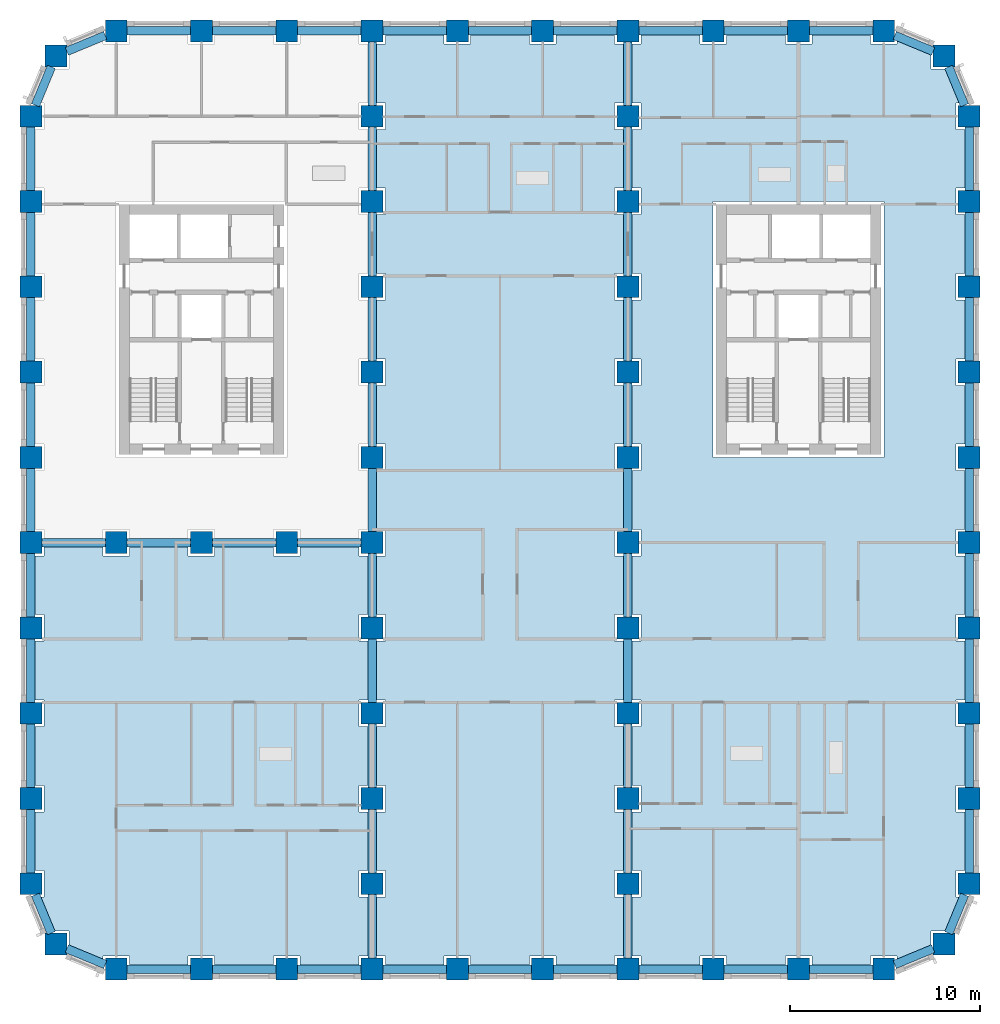
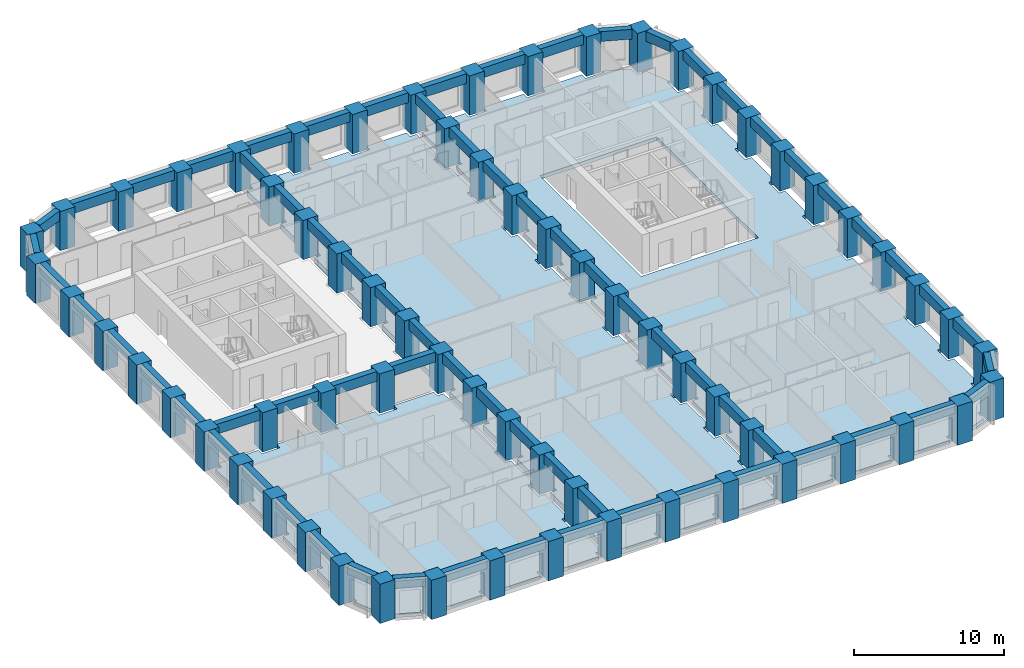
# One storey, part 1 of 13: 70 beams, 67 columns, 3 slabs.
"""IFC4 building model written with IfcOpenShell, lengths in metres."""

from ifc_helpers import new_model, si_unit, direction, frame, origin, origin_2d, place, context, subcontext, project, spatial, polyline, rectangle, outline, extrude, material, layer, layer_set, material_profile, profile_set, type_object, element, save


model = new_model("IFC4")

# Units and contexts
model_context = context("Model", 3, precision=1e-05, world=origin(), true_north=direction((0.0, 1.0)))
body_context = subcontext(model_context, "Body", "Model", "MODEL_VIEW")
ifc_project = project(units=[si_unit("LENGTHUNIT", "METRE"), si_unit("AREAUNIT", "SQUARE_METRE"), si_unit("VOLUMEUNIT", "CUBIC_METRE"), si_unit("PLANEANGLEUNIT", "RADIAN"), si_unit("MASSUNIT", "GRAM", prefix="KILO")], contexts=[model_context])

# Site, building, storey
site_placement = place(None, origin())
site = spatial("IfcSite", under=ifc_project, at=site_placement, CompositionType="ELEMENT")
building_placement = place(site_placement, origin())
building = spatial("IfcBuilding", under=site, at=building_placement, Name="Girih Gate Residences", CompositionType="ELEMENT")
storey_placement = place(building_placement, frame((0.0, 0.0, 80.0)))
storey = spatial("IfcBuildingStorey", under=building, at=storey_placement, Name="L21", CompositionType="ELEMENT", Elevation=80.0)

# Columns
ifc_material_1 = material(Name="Concrete C80/95", Category="concrete")
ifc_material_profile_1 = material_profile(ifc_material_1, rectangle(XDim=1.14990234375, YDim=1.14990234375, at=origin_2d()))
ifc_profile_set_1 = profile_set([ifc_material_profile_1], Name="Concrete C80/95")
column_type = type_object("IfcColumnType", Name="Pier RC 1150x1150 Concrete C80/95", PredefinedType="COLUMN", material=ifc_profile_set_1)
for number, where, z_axis, x_axis, name in (
    (1, (4.5, 0.0, 0.0), (0.0, 0.0, 1.0), (1.0, 0.0, 0.0), "Pier P2A L21"),
    (2, (9.0, 0.0, 0.0), (0.0, 0.0, 1.0), (1.0, 0.0, 0.0), "Pier P3A L21"),
    (3, (13.5, 0.0, 0.0), (0.0, 0.0, 1.0), (1.0, 0.0, 0.0), "Pier P4A L21"),
    (4, (18.0, 0.0, 0.0), (0.0, 0.0, 1.0), (1.0, 0.0, 0.0), "Pier P5A L21"),
    (5, (22.5, 0.0, 0.0), (0.0, 0.0, 1.0), (1.0, 0.0, 0.0), "Pier P6A L21"),
    (6, (27.0, 0.0, 0.0), (0.0, 0.0, 1.0), (1.0, 0.0, 0.0), "Pier P7A L21"),
    (7, (31.5, 0.0, 0.0), (0.0, 0.0, 1.0), (1.0, 0.0, 0.0), "Pier P8A L21"),
    (8, (36.0, 0.0, 0.0), (0.0, 0.0, 1.0), (1.0, 0.0, 0.0), "Pier P9A L21"),
    (9, (40.5, 0.0, 0.0), (0.0, 0.0, 1.0), (1.0, 0.0, 0.0), "Pier P10A L21"),
    (10, (45.0, 0.0, 0.0), (0.0, 0.0, 1.0), (1.0, 0.0, 0.0), "Pier P11A L21"),
    (11, (1.318115234375, 1.318115234375, 0.0), (0.0, 0.0, 1.0), (1.0, 0.0, 0.0), "Pier P1ANE L21"),
    (12, (48.181884765625, 1.318115234375, 0.0), (0.0, 0.0, 1.0), (1.0, 0.0, 0.0), "Pier P12ANW L21"),
    (13, (0.0, 4.5, 0.0), (0.0, 0.0, 1.0), (1.0, 0.0, 0.0), "Pier P1B L21"),
    (14, (18.0, 4.5, 0.0), (0.0, 0.0, 1.0), (1.0, 0.0, 0.0), "Pier P5B L21"),
    (15, (31.5, 4.5, 0.0), (0.0, 0.0, 1.0), (1.0, 0.0, 0.0), "Pier P8B L21"),
    (16, (49.5, 4.5, 0.0), (0.0, 0.0, 1.0), (1.0, 0.0, 0.0), "Pier P12B L21"),
    (17, (0.0, 9.0, 0.0), (0.0, 0.0, 1.0), (1.0, 0.0, 0.0), "Pier P1C L21"),
    (18, (18.0, 9.0, 0.0), (0.0, 0.0, 1.0), (1.0, 0.0, 0.0), "Pier P5C L21"),
    (19, (31.5, 9.0, 0.0), (0.0, 0.0, 1.0), (1.0, 0.0, 0.0), "Pier P8C L21"),
    (20, (49.5, 9.0, 0.0), (0.0, 0.0, 1.0), (1.0, 0.0, 0.0), "Pier P12C L21"),
    (21, (0.0, 13.5, 0.0), (0.0, 0.0, 1.0), (1.0, 0.0, 0.0), "Pier P1D L21"),
    (22, (18.0, 13.5, 0.0), (0.0, 0.0, 1.0), (1.0, 0.0, 0.0), "Pier P5D L21"),
    (23, (31.5, 13.5, 0.0), (0.0, 0.0, 1.0), (1.0, 0.0, 0.0), "Pier P8D L21"),
    (24, (49.5, 13.5, 0.0), (0.0, 0.0, 1.0), (1.0, 0.0, 0.0), "Pier P12D L21"),
    (25, (0.0, 18.0, 0.0), (0.0, 0.0, 1.0), (1.0, 0.0, 0.0), "Pier P1E L21"),
    (26, (18.0, 18.0, 0.0), (0.0, 0.0, 1.0), (1.0, 0.0, 0.0), "Pier P5E L21"),
    (27, (31.5, 18.0, 0.0), (0.0, 0.0, 1.0), (1.0, 0.0, 0.0), "Pier P8E L21"),
    (28, (49.5, 18.0, 0.0), (0.0, 0.0, 1.0), (1.0, 0.0, 0.0), "Pier P12E L21"),
    (29, (0.0, 22.5, 0.0), (0.0, 0.0, 1.0), (1.0, 0.0, 0.0), "Pier P1F L21"),
    (30, (4.5, 22.5, 0.0), (0.0, 0.0, 1.0), (1.0, 0.0, 0.0), "Pier P2F L21"),
    (31, (9.0, 22.5, 0.0), (0.0, 0.0, 1.0), (1.0, 0.0, 0.0), "Pier P3F L21"),
    (32, (13.5, 22.5, 0.0), (0.0, 0.0, 1.0), (1.0, 0.0, 0.0), "Pier P4F L21"),
    (33, (18.0, 22.5, 0.0), (0.0, 0.0, 1.0), (1.0, 0.0, 0.0), "Pier P5F L21"),
    (34, (31.5, 22.5, 0.0), (0.0, 0.0, 1.0), (1.0, 0.0, 0.0), "Pier P8F L21"),
    (35, (49.5, 22.5, 0.0), (0.0, 0.0, 1.0), (1.0, 0.0, 0.0), "Pier P12F L21"),
    (36, (0.0, 27.0, 0.0), (0.0, 0.0, 1.0), (1.0, 0.0, 0.0), "Pier P1G L21"),
    (37, (18.0, 27.0, 0.0), (0.0, 0.0, 1.0), (1.0, 0.0, 0.0), "Pier P5G L21"),
    (38, (31.5, 27.0, 0.0), (0.0, 0.0, 1.0), (1.0, 0.0, 0.0), "Pier P8G L21"),
    (39, (49.5, 27.0, 0.0), (0.0, 0.0, 1.0), (1.0, 0.0, 0.0), "Pier P12G L21"),
    (40, (0.0, 31.5, 0.0), (0.0, 0.0, 1.0), (1.0, 0.0, 0.0), "Pier P1H L21"),
    (41, (18.0, 31.5, 0.0), (0.0, 0.0, 1.0), (1.0, 0.0, 0.0), "Pier P5H L21"),
    (42, (31.5, 31.5, 0.0), (0.0, 0.0, 1.0), (1.0, 0.0, 0.0), "Pier P8H L21"),
    (43, (49.5, 31.5, 0.0), (0.0, 0.0, 1.0), (1.0, 0.0, 0.0), "Pier P12H L21"),
    (44, (0.0, 36.0, 0.0), (0.0, 0.0, 1.0), (1.0, 0.0, 0.0), "Pier P1I L21"),
    (45, (18.0, 36.0, 0.0), (0.0, 0.0, 1.0), (1.0, 0.0, 0.0), "Pier P5I L21"),
    (46, (31.5, 36.0, 0.0), (0.0, 0.0, 1.0), (1.0, 0.0, 0.0), "Pier P8I L21"),
    (47, (49.5, 36.0, 0.0), (0.0, 0.0, 1.0), (1.0, 0.0, 0.0), "Pier P12I L21"),
    (48, (0.0, 40.5, 0.0), (0.0, 0.0, 1.0), (1.0, 0.0, 0.0), "Pier P1J L21"),
    (49, (18.0, 40.5, 0.0), (0.0, 0.0, 1.0), (1.0, 0.0, 0.0), "Pier P5J L21"),
    (50, (31.5, 40.5, 0.0), (0.0, 0.0, 1.0), (1.0, 0.0, 0.0), "Pier P8J L21"),
    (51, (49.5, 40.5, 0.0), (0.0, 0.0, 1.0), (1.0, 0.0, 0.0), "Pier P12J L21"),
    (52, (0.0, 45.0, 0.0), (0.0, 0.0, 1.0), (1.0, 0.0, 0.0), "Pier P1K L21"),
    (53, (18.0, 45.0, 0.0), (0.0, 0.0, 1.0), (1.0, 0.0, 0.0), "Pier P5K L21"),
    (54, (31.5, 45.0, 0.0), (0.0, 0.0, 1.0), (1.0, 0.0, 0.0), "Pier P8K L21"),
    (55, (49.5, 45.0, 0.0), (0.0, 0.0, 1.0), (1.0, 0.0, 0.0), "Pier P12K L21"),
    (56, (1.318115234375, 48.181884765625, 0.0), (0.0, 0.0, 1.0), (1.0, 0.0, 0.0), "Pier P1LSE L21"),
    (57, (48.181884765625, 48.181884765625, 0.0), (0.0, 0.0, 1.0), (1.0, 0.0, 0.0), "Pier P12LSW L21"),
    (58, (4.5, 49.5, 0.0), (0.0, 0.0, 1.0), (1.0, 0.0, 0.0), "Pier P2L L21"),
    (59, (9.0, 49.5, 0.0), (0.0, 0.0, 1.0), (1.0, 0.0, 0.0), "Pier P3L L21"),
    (60, (13.5, 49.5, 0.0), (0.0, 0.0, 1.0), (1.0, 0.0, 0.0), "Pier P4L L21"),
    (61, (18.0, 49.5, 0.0), (0.0, 0.0, 1.0), (1.0, 0.0, 0.0), "Pier P5L L21"),
    (62, (22.5, 49.5, 0.0), (0.0, 0.0, 1.0), (1.0, 0.0, 0.0), "Pier P6L L21"),
    (63, (27.0, 49.5, 0.0), (0.0, 0.0, 1.0), (1.0, 0.0, 0.0), "Pier P7L L21"),
    (64, (31.5, 49.5, 0.0), (0.0, 0.0, 1.0), (1.0, 0.0, 0.0), "Pier P8L L21"),
    (65, (36.0, 49.5, 0.0), (0.0, 0.0, 1.0), (1.0, 0.0, 0.0), "Pier P9L L21"),
    (66, (40.5, 49.5, 0.0), (0.0, 0.0, 1.0), (1.0, 0.0, 0.0), "Pier P10L L21"),
    (67, (45.0, 49.5, 0.0), (0.0, 0.0, 1.0), (1.0, 0.0, 0.0), "Pier P11L L21"),
):
    element("IfcColumn", number, at=place(storey_placement, frame(where, z_axis=z_axis, x_axis=x_axis)), inside=storey, type_object=column_type, Name=name, PredefinedType="COLUMN", context=body_context, shape_type="SweptSolid", body=[
        extrude(rectangle(XDim=1.14990234375, YDim=1.14990234375, at=origin_2d()), origin(), (0.0, 0.0, 1.0), 3.199951171875),
    ])

# Beams
ifc_material_2 = material(Name="Concrete C60/75", Category="concrete")
ifc_material_profile_2 = material_profile(ifc_material_2, rectangle(XDim=0.449951171875, YDim=0.800048828125, at=origin_2d()))
ifc_profile_set_2 = profile_set([ifc_material_profile_2], Name="Concrete C60/75")
beam_type = type_object("IfcBeamType", Name="Spandrel girder RC 450x800 Concrete C60/75", PredefinedType="BEAM", material=ifc_profile_set_2)
for number, where, z_axis, x_axis, name in (
    (68, (0.23828125, 3.925048828125, 2.800048828125), (0.382636106589, -0.92389913407, 0.0), (0.92389913407, 0.382636106589, 0.0), "Spandrel girder SP-P1B-P1ANE L21"),
    (69, (1.89306640625, 1.079833984375, 2.800048828125), (0.92389913407, -0.382636106589, 0.0), (0.382636106589, 0.92389913407, 0.0), "Spandrel girder SP-P1ANE-P2A L21"),
):
    element("IfcBeam", number, at=place(storey_placement, frame(where, z_axis=z_axis, x_axis=x_axis)), inside=storey, type_object=beam_type, Name=name, PredefinedType="BEAM", context=body_context, shape_type="SweptSolid", body=[
        extrude(rectangle(XDim=0.449951171875, YDim=0.800048828125, at=origin_2d()), origin(), (0.0, 0.0, 1.0), 2.199462890625),
    ])
for number, where, z_axis, x_axis, name in (
    (70, (5.074951171875, 0.0, 2.800048828125), (1.0, 0.0, 0.0), (0.0, 1.0, 0.0), "Spandrel girder SP-P2A-P3A L21"),
    (71, (9.574951171875, 0.0, 2.800048828125), (1.0, 0.0, 0.0), (0.0, 1.0, 0.0), "Spandrel girder SP-P3A-P4A L21"),
    (72, (14.074951171875, 0.0, 2.800048828125), (1.0, 0.0, 0.0), (0.0, 1.0, 0.0), "Spandrel girder SP-P4A-P5A L21"),
    (73, (18.574951171875, 0.0, 2.800048828125), (1.0, 0.0, 0.0), (0.0, 1.0, 0.0), "Spandrel girder SP-P5A-P6A L21"),
    (74, (23.074951171875, 0.0, 2.800048828125), (1.0, 0.0, 0.0), (0.0, 1.0, 0.0), "Spandrel girder SP-P6A-P7A L21"),
    (75, (27.574951171875, 0.0, 2.800048828125), (1.0, 0.0, 0.0), (0.0, 1.0, 0.0), "Spandrel girder SP-P7A-P8A L21"),
    (76, (32.074951171875, 0.0, 2.800048828125), (1.0, 0.0, 0.0), (0.0, 1.0, 0.0), "Spandrel girder SP-P8A-P9A L21"),
    (77, (36.574951171875, 0.0, 2.800048828125), (1.0, 0.0, 0.0), (0.0, 1.0, 0.0), "Spandrel girder SP-P9A-P10A L21"),
    (78, (41.074951171875, 0.0, 2.800048828125), (1.0, 0.0, 0.0), (0.0, 1.0, 0.0), "Spandrel girder SP-P10A-P11A L21"),
):
    element("IfcBeam", number, at=place(storey_placement, frame(where, z_axis=z_axis, x_axis=x_axis)), inside=storey, type_object=beam_type, Name=name, PredefinedType="BEAM", context=body_context, shape_type="SweptSolid", body=[
        extrude(rectangle(XDim=0.449951171875, YDim=0.800048828125, at=origin_2d()), origin(), (0.0, 0.0, 1.0), 3.35009765625),
    ])
for number, where, z_axis, x_axis, name in (
    (79, (45.574951171875, 0.23828125, 2.800048828125), (0.92389913407, 0.382636106589, 0.0), (-0.382636106589, 0.92389913407, 0.0), "Spandrel girder SP-P11A-P12ANW L21"),
    (80, (48.420166015625, 1.89306640625, 2.800048828125), (0.382636106589, 0.92389913407, 0.0), (-0.92389913407, 0.382636106589, 0.0), "Spandrel girder SP-P12ANW-P12B L21"),
):
    element("IfcBeam", number, at=place(storey_placement, frame(where, z_axis=z_axis, x_axis=x_axis)), inside=storey, type_object=beam_type, Name=name, PredefinedType="BEAM", context=body_context, shape_type="SweptSolid", body=[
        extrude(rectangle(XDim=0.449951171875, YDim=0.800048828125, at=origin_2d()), origin(), (0.0, 0.0, 1.0), 2.199462890625),
    ])
for number, where, z_axis, x_axis, name in (
    (81, (49.5, 5.074951171875, 2.800048828125), (0.0, 1.0, 0.0), (-1.0, 0.0, 0.0), "Spandrel girder SP-P12B-P12C L21"),
    (82, (49.5, 9.574951171875, 2.800048828125), (0.0, 1.0, 0.0), (-1.0, 0.0, 0.0), "Spandrel girder SP-P12C-P12D L21"),
    (83, (49.5, 14.074951171875, 2.800048828125), (0.0, 1.0, 0.0), (-1.0, 0.0, 0.0), "Spandrel girder SP-P12D-P12E L21"),
    (84, (49.5, 18.574951171875, 2.800048828125), (0.0, 1.0, 0.0), (-1.0, 0.0, 0.0), "Spandrel girder SP-P12E-P12F L21"),
    (85, (49.5, 23.074951171875, 2.800048828125), (0.0, 1.0, 0.0), (-1.0, 0.0, 0.0), "Spandrel girder SP-P12F-P12G L21"),
    (86, (49.5, 27.574951171875, 2.800048828125), (0.0, 1.0, 0.0), (-1.0, 0.0, 0.0), "Spandrel girder SP-P12G-P12H L21"),
    (87, (49.5, 32.074951171875, 2.800048828125), (0.0, 1.0, 0.0), (-1.0, 0.0, 0.0), "Spandrel girder SP-P12H-P12I L21"),
    (88, (49.5, 36.574951171875, 2.800048828125), (0.0, 1.0, 0.0), (-1.0, 0.0, 0.0), "Spandrel girder SP-P12I-P12J L21"),
    (89, (49.5, 41.074951171875, 2.800048828125), (0.0, 1.0, 0.0), (-1.0, 0.0, 0.0), "Spandrel girder SP-P12J-P12K L21"),
):
    element("IfcBeam", number, at=place(storey_placement, frame(where, z_axis=z_axis, x_axis=x_axis)), inside=storey, type_object=beam_type, Name=name, PredefinedType="BEAM", context=body_context, shape_type="SweptSolid", body=[
        extrude(rectangle(XDim=0.449951171875, YDim=0.800048828125, at=origin_2d()), origin(), (0.0, 0.0, 1.0), 3.35009765625),
    ])
for number, where, z_axis, x_axis, name in (
    (90, (49.26171875, 45.574951171875, 2.800048828125), (-0.382636106589, 0.92389913407, 0.0), (-0.92389913407, -0.382636106589, 0.0), "Spandrel girder SP-P12K-P12LSW L21"),
    (91, (47.60693359375, 48.420166015625, 2.800048828125), (-0.92389913407, 0.382636106589, 0.0), (-0.382636106589, -0.92389913407, 0.0), "Spandrel girder SP-P12LSW-P11L L21"),
):
    element("IfcBeam", number, at=place(storey_placement, frame(where, z_axis=z_axis, x_axis=x_axis)), inside=storey, type_object=beam_type, Name=name, PredefinedType="BEAM", context=body_context, shape_type="SweptSolid", body=[
        extrude(rectangle(XDim=0.449951171875, YDim=0.800048828125, at=origin_2d()), origin(), (0.0, 0.0, 1.0), 2.199462890625),
    ])
for number, where, z_axis, x_axis, name in (
    (92, (44.425048828125, 49.5, 2.800048828125), (-1.0, 0.0, 0.0), (0.0, -1.0, 0.0), "Spandrel girder SP-P11L-P10L L21"),
    (93, (39.925048828125, 49.5, 2.800048828125), (-1.0, 0.0, 0.0), (0.0, -1.0, 0.0), "Spandrel girder SP-P10L-P9L L21"),
    (94, (35.425048828125, 49.5, 2.800048828125), (-1.0, 0.0, 0.0), (0.0, -1.0, 0.0), "Spandrel girder SP-P9L-P8L L21"),
    (95, (30.925048828125, 49.5, 2.800048828125), (-1.0, 0.0, 0.0), (0.0, -1.0, 0.0), "Spandrel girder SP-P8L-P7L L21"),
    (96, (26.425048828125, 49.5, 2.800048828125), (-1.0, 0.0, 0.0), (0.0, -1.0, 0.0), "Spandrel girder SP-P7L-P6L L21"),
    (97, (21.925048828125, 49.5, 2.800048828125), (-1.0, 0.0, 0.0), (0.0, -1.0, 0.0), "Spandrel girder SP-P6L-P5L L21"),
    (98, (17.425048828125, 49.5, 2.800048828125), (-1.0, 0.0, 0.0), (0.0, -1.0, 0.0), "Spandrel girder SP-P5L-P4L L21"),
    (99, (12.925048828125, 49.5, 2.800048828125), (-1.0, 0.0, 0.0), (0.0, -1.0, 0.0), "Spandrel girder SP-P4L-P3L L21"),
    (100, (8.425048828125, 49.5, 2.800048828125), (-1.0, 0.0, 0.0), (0.0, -1.0, 0.0), "Spandrel girder SP-P3L-P2L L21"),
):
    element("IfcBeam", number, at=place(storey_placement, frame(where, z_axis=z_axis, x_axis=x_axis)), inside=storey, type_object=beam_type, Name=name, PredefinedType="BEAM", context=body_context, shape_type="SweptSolid", body=[
        extrude(rectangle(XDim=0.449951171875, YDim=0.800048828125, at=origin_2d()), origin(), (0.0, 0.0, 1.0), 3.35009765625),
    ])
for number, where, z_axis, x_axis, name in (
    (101, (3.925048828125, 49.26171875, 2.800048828125), (-0.92389913407, -0.382636106589, 0.0), (0.382636106589, -0.92389913407, 0.0), "Spandrel girder SP-P2L-P1LSE L21"),
    (102, (1.079833984375, 47.60693359375, 2.800048828125), (-0.382636106589, -0.92389913407, 0.0), (0.92389913407, -0.382636106589, 0.0), "Spandrel girder SP-P1LSE-P1K L21"),
):
    element("IfcBeam", number, at=place(storey_placement, frame(where, z_axis=z_axis, x_axis=x_axis)), inside=storey, type_object=beam_type, Name=name, PredefinedType="BEAM", context=body_context, shape_type="SweptSolid", body=[
        extrude(rectangle(XDim=0.449951171875, YDim=0.800048828125, at=origin_2d()), origin(), (0.0, 0.0, 1.0), 2.199462890625),
    ])
for number, where, z_axis, x_axis, name in (
    (103, (0.0, 44.425048828125, 2.800048828125), (0.0, -1.0, 0.0), (1.0, 0.0, 0.0), "Spandrel girder SP-P1K-P1J L21"),
    (104, (0.0, 39.925048828125, 2.800048828125), (0.0, -1.0, 0.0), (1.0, 0.0, 0.0), "Spandrel girder SP-P1J-P1I L21"),
    (105, (0.0, 35.425048828125, 2.800048828125), (0.0, -1.0, 0.0), (1.0, 0.0, 0.0), "Spandrel girder SP-P1I-P1H L21"),
    (106, (0.0, 30.925048828125, 2.800048828125), (0.0, -1.0, 0.0), (1.0, 0.0, 0.0), "Spandrel girder SP-P1H-P1G L21"),
    (107, (0.0, 26.425048828125, 2.800048828125), (0.0, -1.0, 0.0), (1.0, 0.0, 0.0), "Spandrel girder SP-P1G-P1F L21"),
    (108, (0.0, 21.925048828125, 2.800048828125), (0.0, -1.0, 0.0), (1.0, 0.0, 0.0), "Spandrel girder SP-P1F-P1E L21"),
    (109, (0.0, 17.425048828125, 2.800048828125), (0.0, -1.0, 0.0), (1.0, 0.0, 0.0), "Spandrel girder SP-P1E-P1D L21"),
    (110, (0.0, 12.925048828125, 2.800048828125), (0.0, -1.0, 0.0), (1.0, 0.0, 0.0), "Spandrel girder SP-P1D-P1C L21"),
    (111, (0.0, 8.425048828125, 2.800048828125), (0.0, -1.0, 0.0), (1.0, 0.0, 0.0), "Spandrel girder SP-P1C-P1B L21"),
    (112, (18.0, 0.574951171875, 2.800048828125), (0.0, 1.0, 0.0), (-1.0, 0.0, 0.0), "Spandrel girder SP-P5A-P5B L21"),
    (113, (18.0, 5.074951171875, 2.800048828125), (0.0, 1.0, 0.0), (-1.0, 0.0, 0.0), "Spandrel girder SP-P5B-P5C L21"),
    (114, (18.0, 9.574951171875, 2.800048828125), (0.0, 1.0, 0.0), (-1.0, 0.0, 0.0), "Spandrel girder SP-P5C-P5D L21"),
    (115, (18.0, 14.074951171875, 2.800048828125), (0.0, 1.0, 0.0), (-1.0, 0.0, 0.0), "Spandrel girder SP-P5D-P5E L21"),
    (116, (18.0, 18.574951171875, 2.800048828125), (0.0, 1.0, 0.0), (-1.0, 0.0, 0.0), "Spandrel girder SP-P5E-P5F L21"),
    (117, (18.0, 23.074951171875, 2.800048828125), (0.0, 1.0, 0.0), (-1.0, 0.0, 0.0), "Spandrel girder SP-P5F-P5G L21"),
    (118, (18.0, 27.574951171875, 2.800048828125), (0.0, 1.0, 0.0), (-1.0, 0.0, 0.0), "Spandrel girder SP-P5G-P5H L21"),
    (119, (18.0, 32.074951171875, 2.800048828125), (0.0, 1.0, 0.0), (-1.0, 0.0, 0.0), "Spandrel girder SP-P5H-P5I L21"),
    (120, (18.0, 36.574951171875, 2.800048828125), (0.0, 1.0, 0.0), (-1.0, 0.0, 0.0), "Spandrel girder SP-P5I-P5J L21"),
    (121, (18.0, 41.074951171875, 2.800048828125), (0.0, 1.0, 0.0), (-1.0, 0.0, 0.0), "Spandrel girder SP-P5J-P5K L21"),
    (122, (18.0, 45.574951171875, 2.800048828125), (0.0, 1.0, 0.0), (-1.0, 0.0, 0.0), "Spandrel girder SP-P5K-P5L L21"),
    (123, (31.5, 0.574951171875, 2.800048828125), (0.0, 1.0, 0.0), (-1.0, 0.0, 0.0), "Spandrel girder SP-P8A-P8B L21"),
    (124, (31.5, 5.074951171875, 2.800048828125), (0.0, 1.0, 0.0), (-1.0, 0.0, 0.0), "Spandrel girder SP-P8B-P8C L21"),
    (125, (31.5, 9.574951171875, 2.800048828125), (0.0, 1.0, 0.0), (-1.0, 0.0, 0.0), "Spandrel girder SP-P8C-P8D L21"),
    (126, (31.5, 14.074951171875, 2.800048828125), (0.0, 1.0, 0.0), (-1.0, 0.0, 0.0), "Spandrel girder SP-P8D-P8E L21"),
    (127, (31.5, 18.574951171875, 2.800048828125), (0.0, 1.0, 0.0), (-1.0, 0.0, 0.0), "Spandrel girder SP-P8E-P8F L21"),
    (128, (31.5, 23.074951171875, 2.800048828125), (0.0, 1.0, 0.0), (-1.0, 0.0, 0.0), "Spandrel girder SP-P8F-P8G L21"),
    (129, (31.5, 27.574951171875, 2.800048828125), (0.0, 1.0, 0.0), (-1.0, 0.0, 0.0), "Spandrel girder SP-P8G-P8H L21"),
    (130, (31.5, 32.074951171875, 2.800048828125), (0.0, 1.0, 0.0), (-1.0, 0.0, 0.0), "Spandrel girder SP-P8H-P8I L21"),
    (131, (31.5, 36.574951171875, 2.800048828125), (0.0, 1.0, 0.0), (-1.0, 0.0, 0.0), "Spandrel girder SP-P8I-P8J L21"),
    (132, (31.5, 41.074951171875, 2.800048828125), (0.0, 1.0, 0.0), (-1.0, 0.0, 0.0), "Spandrel girder SP-P8J-P8K L21"),
    (133, (31.5, 45.574951171875, 2.800048828125), (0.0, 1.0, 0.0), (-1.0, 0.0, 0.0), "Spandrel girder SP-P8K-P8L L21"),
    (134, (0.574951171875, 22.5, 2.800048828125), (1.0, 0.0, 0.0), (0.0, 1.0, 0.0), "Spandrel girder SP-P1F-P2F L21"),
    (135, (5.074951171875, 22.5, 2.800048828125), (1.0, 0.0, 0.0), (0.0, 1.0, 0.0), "Spandrel girder SP-P2F-P3F L21"),
    (136, (9.574951171875, 22.5, 2.800048828125), (1.0, 0.0, 0.0), (0.0, 1.0, 0.0), "Spandrel girder SP-P3F-P4F L21"),
    (137, (14.074951171875, 22.5, 2.800048828125), (1.0, 0.0, 0.0), (0.0, 1.0, 0.0), "Spandrel girder SP-P4F-P5F L21"),
):
    element("IfcBeam", number, at=place(storey_placement, frame(where, z_axis=z_axis, x_axis=x_axis)), inside=storey, type_object=beam_type, Name=name, PredefinedType="BEAM", context=body_context, shape_type="SweptSolid", body=[
        extrude(rectangle(XDim=0.449951171875, YDim=0.800048828125, at=origin_2d()), origin(), (0.0, 0.0, 1.0), 3.35009765625),
    ])

# Slabs
ifc_material_3 = material(Name="Concrete C40/50", Category="concrete")
ifc_layer_1 = layer(ifc_material_3, 0.300048828125)
ifc_layer_set_1 = layer_set([ifc_layer_1], Name="Floor slab PT 300 Concrete C40/50")
slab_type_1 = type_object("IfcSlabType", Name="Floor slab PT 300 Concrete C40/50", PredefinedType="FLOOR", material=ifc_layer_set_1)
slab_1_placement = place(storey_placement, frame((0.0, 0.0, -0.300048828125)))
element("IfcSlab", 138, at=slab_1_placement, inside=storey, type_object=slab_type_1, Name="Floor slab L21 0", PredefinedType="FLOOR", context=body_context, shape_type="SweptSolid", body=[
    extrude(outline(polyline([(0.22509765625, 8.300048828125), (0.22509765625, 5.199951171875), (0.699951171875, 5.199951171875), (0.699951171875, 3.800048828125), (0.533447265625, 3.800048828125), (1.271728515625, 2.01806640625), (2.01806640625, 2.01806640625), (2.01806640625, 1.271728515625), (3.800048828125, 0.533447265625), (3.800048828125, 0.699951171875), (5.199951171875, 0.699951171875), (5.199951171875, 0.22509765625), (8.300048828125, 0.22509765625), (8.300048828125, 0.699951171875), (9.699951171875, 0.699951171875), (9.699951171875, 0.22509765625), (12.800048828125, 0.22509765625), (12.800048828125, 0.699951171875), (14.199951171875, 0.699951171875), (14.199951171875, 0.22509765625), (17.300048828125, 0.22509765625), (17.300048828125, 0.699951171875), (17.77490234375, 0.699951171875), (17.77490234375, 3.800048828125), (17.300048828125, 3.800048828125), (17.300048828125, 5.199951171875), (17.77490234375, 5.199951171875), (17.77490234375, 8.300048828125), (17.300048828125, 8.300048828125), (17.300048828125, 9.699951171875), (17.77490234375, 9.699951171875), (17.77490234375, 12.800048828125), (17.300048828125, 12.800048828125), (17.300048828125, 14.199951171875), (17.77490234375, 14.199951171875), (17.77490234375, 17.300048828125), (17.300048828125, 17.300048828125), (17.300048828125, 18.699951171875), (17.77490234375, 18.699951171875), (17.77490234375, 21.800048828125), (17.300048828125, 21.800048828125), (17.300048828125, 22.27490234375), (14.199951171875, 22.27490234375), (14.199951171875, 21.800048828125), (12.800048828125, 21.800048828125), (12.800048828125, 22.27490234375), (9.699951171875, 22.27490234375), (9.699951171875, 21.800048828125), (8.300048828125, 21.800048828125), (8.300048828125, 22.27490234375), (5.199951171875, 22.27490234375), (5.199951171875, 21.800048828125), (3.800048828125, 21.800048828125), (3.800048828125, 22.27490234375), (0.699951171875, 22.27490234375), (0.699951171875, 21.800048828125), (0.22509765625, 21.800048828125), (0.22509765625, 18.699951171875), (0.699951171875, 18.699951171875), (0.699951171875, 17.300048828125), (0.22509765625, 17.300048828125), (0.22509765625, 14.199951171875), (0.699951171875, 14.199951171875), (0.699951171875, 12.800048828125), (0.22509765625, 12.800048828125), (0.22509765625, 9.699951171875), (0.699951171875, 9.699951171875), (0.699951171875, 8.300048828125), (0.22509765625, 8.300048828125)])), origin(), (0.0, 0.0, 1.0), 0.300048828125),
])
slab_2_placement = place(storey_placement, frame((0.0, 0.0, -0.300048828125)))
element("IfcSlab", 139, at=slab_2_placement, inside=storey, type_object=slab_type_1, Name="Floor slab L21 1", PredefinedType="FLOOR", context=body_context, shape_type="SweptSolid", body=[
    extrude(outline(polyline([(35.300048828125, 49.27490234375), (32.199951171875, 49.27490234375), (32.199951171875, 48.800048828125), (31.72509765625, 48.800048828125), (31.72509765625, 45.699951171875), (32.199951171875, 45.699951171875), (32.199951171875, 44.300048828125), (31.72509765625, 44.300048828125), (31.72509765625, 41.199951171875), (32.199951171875, 41.199951171875), (32.199951171875, 39.800048828125), (31.72509765625, 39.800048828125), (31.72509765625, 36.699951171875), (32.199951171875, 36.699951171875), (32.199951171875, 35.300048828125), (31.72509765625, 35.300048828125), (31.72509765625, 32.199951171875), (32.199951171875, 32.199951171875), (32.199951171875, 30.800048828125), (31.72509765625, 30.800048828125), (31.72509765625, 27.699951171875), (32.199951171875, 27.699951171875), (32.199951171875, 26.300048828125), (31.72509765625, 26.300048828125), (31.72509765625, 23.199951171875), (32.199951171875, 23.199951171875), (32.199951171875, 21.800048828125), (31.72509765625, 21.800048828125), (31.72509765625, 18.699951171875), (32.199951171875, 18.699951171875), (32.199951171875, 17.300048828125), (31.72509765625, 17.300048828125), (31.72509765625, 14.199951171875), (32.199951171875, 14.199951171875), (32.199951171875, 12.800048828125), (31.72509765625, 12.800048828125), (31.72509765625, 9.699951171875), (32.199951171875, 9.699951171875), (32.199951171875, 8.300048828125), (31.72509765625, 8.300048828125), (31.72509765625, 5.199951171875), (32.199951171875, 5.199951171875), (32.199951171875, 3.800048828125), (31.72509765625, 3.800048828125), (31.72509765625, 0.699951171875), (32.199951171875, 0.699951171875), (32.199951171875, 0.22509765625), (35.300048828125, 0.22509765625), (35.300048828125, 0.699951171875), (36.699951171875, 0.699951171875), (36.699951171875, 0.22509765625), (39.800048828125, 0.22509765625), (39.800048828125, 0.699951171875), (41.199951171875, 0.699951171875), (41.199951171875, 0.22509765625), (44.300048828125, 0.22509765625), (44.300048828125, 0.699951171875), (45.699951171875, 0.699951171875), (45.699951171875, 0.533447265625), (47.48193359375, 1.271728515625), (47.48193359375, 2.01806640625), (48.228271484375, 2.01806640625), (48.966552734375, 3.800048828125), (48.800048828125, 3.800048828125), (48.800048828125, 5.199951171875), (49.27490234375, 5.199951171875), (49.27490234375, 8.300048828125), (48.800048828125, 8.300048828125), (48.800048828125, 9.699951171875), (49.27490234375, 9.699951171875), (49.27490234375, 12.800048828125), (48.800048828125, 12.800048828125), (48.800048828125, 14.199951171875), (49.27490234375, 14.199951171875), (49.27490234375, 17.300048828125), (48.800048828125, 17.300048828125), (48.800048828125, 18.699951171875), (49.27490234375, 18.699951171875), (49.27490234375, 21.800048828125), (48.800048828125, 21.800048828125), (48.800048828125, 23.199951171875), (49.27490234375, 23.199951171875), (49.27490234375, 26.300048828125), (48.800048828125, 26.300048828125), (48.800048828125, 27.699951171875), (49.27490234375, 27.699951171875), (49.27490234375, 30.800048828125), (48.800048828125, 30.800048828125), (48.800048828125, 32.199951171875), (49.27490234375, 32.199951171875), (49.27490234375, 35.300048828125), (48.800048828125, 35.300048828125), (48.800048828125, 36.699951171875), (49.27490234375, 36.699951171875), (49.27490234375, 39.800048828125), (48.800048828125, 39.800048828125), (48.800048828125, 41.199951171875), (49.27490234375, 41.199951171875), (49.27490234375, 44.300048828125), (48.800048828125, 44.300048828125), (48.800048828125, 45.699951171875), (48.966552734375, 45.699951171875), (48.228271484375, 47.48193359375), (47.48193359375, 47.48193359375), (47.48193359375, 48.228271484375), (45.699951171875, 48.966552734375), (45.699951171875, 48.800048828125), (44.300048828125, 48.800048828125), (44.300048828125, 49.27490234375), (41.199951171875, 49.27490234375), (41.199951171875, 48.800048828125), (39.800048828125, 48.800048828125), (39.800048828125, 49.27490234375), (36.699951171875, 49.27490234375), (36.699951171875, 48.800048828125), (35.300048828125, 48.800048828125), (35.300048828125, 49.27490234375)]), holes=[polyline([(45.0, 40.5), (45.0, 27.0), (36.0, 27.0), (36.0, 40.5), (45.0, 40.5)])]), origin(), (0.0, 0.0, 1.0), 0.300048828125),
])
ifc_layer_2 = layer(ifc_material_3, 0.449951171875)
ifc_layer_set_2 = layer_set([ifc_layer_2], Name="Floor slab PT 450 Concrete C40/50")
slab_type_2 = type_object("IfcSlabType", Name="Floor slab PT 450 Concrete C40/50", PredefinedType="FLOOR", material=ifc_layer_set_2)
slab_3_placement = place(storey_placement, frame((0.0, 0.0, -0.449951171875)))
element("IfcSlab", 140, at=slab_3_placement, inside=storey, type_object=slab_type_2, Name="Floor slab L21 2", PredefinedType="FLOOR", context=body_context, shape_type="SweptSolid", body=[
    extrude(outline(polyline([(21.800048828125, 49.27490234375), (18.699951171875, 49.27490234375), (18.699951171875, 48.800048828125), (18.22509765625, 48.800048828125), (18.22509765625, 45.699951171875), (18.699951171875, 45.699951171875), (18.699951171875, 44.300048828125), (18.22509765625, 44.300048828125), (18.22509765625, 41.199951171875), (18.699951171875, 41.199951171875), (18.699951171875, 39.800048828125), (18.22509765625, 39.800048828125), (18.22509765625, 36.699951171875), (18.699951171875, 36.699951171875), (18.699951171875, 35.300048828125), (18.22509765625, 35.300048828125), (18.22509765625, 32.199951171875), (18.699951171875, 32.199951171875), (18.699951171875, 30.800048828125), (18.22509765625, 30.800048828125), (18.22509765625, 27.699951171875), (18.699951171875, 27.699951171875), (18.699951171875, 26.300048828125), (18.22509765625, 26.300048828125), (18.22509765625, 23.199951171875), (18.699951171875, 23.199951171875), (18.699951171875, 21.800048828125), (18.22509765625, 21.800048828125), (18.22509765625, 18.699951171875), (18.699951171875, 18.699951171875), (18.699951171875, 17.300048828125), (18.22509765625, 17.300048828125), (18.22509765625, 14.199951171875), (18.699951171875, 14.199951171875), (18.699951171875, 12.800048828125), (18.22509765625, 12.800048828125), (18.22509765625, 9.699951171875), (18.699951171875, 9.699951171875), (18.699951171875, 8.300048828125), (18.22509765625, 8.300048828125), (18.22509765625, 5.199951171875), (18.699951171875, 5.199951171875), (18.699951171875, 3.800048828125), (18.22509765625, 3.800048828125), (18.22509765625, 0.699951171875), (18.699951171875, 0.699951171875), (18.699951171875, 0.22509765625), (21.800048828125, 0.22509765625), (21.800048828125, 0.699951171875), (23.199951171875, 0.699951171875), (23.199951171875, 0.22509765625), (26.300048828125, 0.22509765625), (26.300048828125, 0.699951171875), (27.699951171875, 0.699951171875), (27.699951171875, 0.22509765625), (30.800048828125, 0.22509765625), (30.800048828125, 0.699951171875), (31.27490234375, 0.699951171875), (31.27490234375, 3.800048828125), (30.800048828125, 3.800048828125), (30.800048828125, 5.199951171875), (31.27490234375, 5.199951171875), (31.27490234375, 8.300048828125), (30.800048828125, 8.300048828125), (30.800048828125, 9.699951171875), (31.27490234375, 9.699951171875), (31.27490234375, 12.800048828125), (30.800048828125, 12.800048828125), (30.800048828125, 14.199951171875), (31.27490234375, 14.199951171875), (31.27490234375, 17.300048828125), (30.800048828125, 17.300048828125), (30.800048828125, 18.699951171875), (31.27490234375, 18.699951171875), (31.27490234375, 21.800048828125), (30.800048828125, 21.800048828125), (30.800048828125, 23.199951171875), (31.27490234375, 23.199951171875), (31.27490234375, 26.300048828125), (30.800048828125, 26.300048828125), (30.800048828125, 27.699951171875), (31.27490234375, 27.699951171875), (31.27490234375, 30.800048828125), (30.800048828125, 30.800048828125), (30.800048828125, 32.199951171875), (31.27490234375, 32.199951171875), (31.27490234375, 35.300048828125), (30.800048828125, 35.300048828125), (30.800048828125, 36.699951171875), (31.27490234375, 36.699951171875), (31.27490234375, 39.800048828125), (30.800048828125, 39.800048828125), (30.800048828125, 41.199951171875), (31.27490234375, 41.199951171875), (31.27490234375, 44.300048828125), (30.800048828125, 44.300048828125), (30.800048828125, 45.699951171875), (31.27490234375, 45.699951171875), (31.27490234375, 48.800048828125), (30.800048828125, 48.800048828125), (30.800048828125, 49.27490234375), (27.699951171875, 49.27490234375), (27.699951171875, 48.800048828125), (26.300048828125, 48.800048828125), (26.300048828125, 49.27490234375), (23.199951171875, 49.27490234375), (23.199951171875, 48.800048828125), (21.800048828125, 48.800048828125), (21.800048828125, 49.27490234375)])), origin(), (0.0, 0.0, 1.0), 0.449951171875),
])

save(model, "model.ifc")
